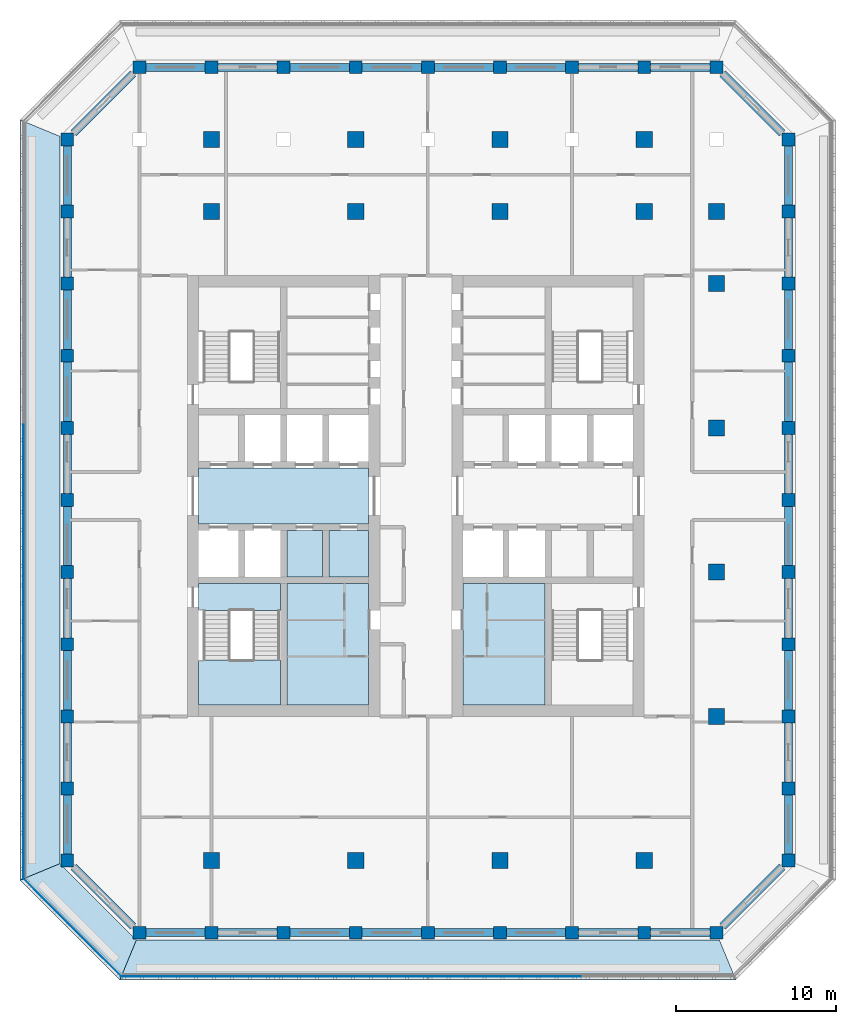
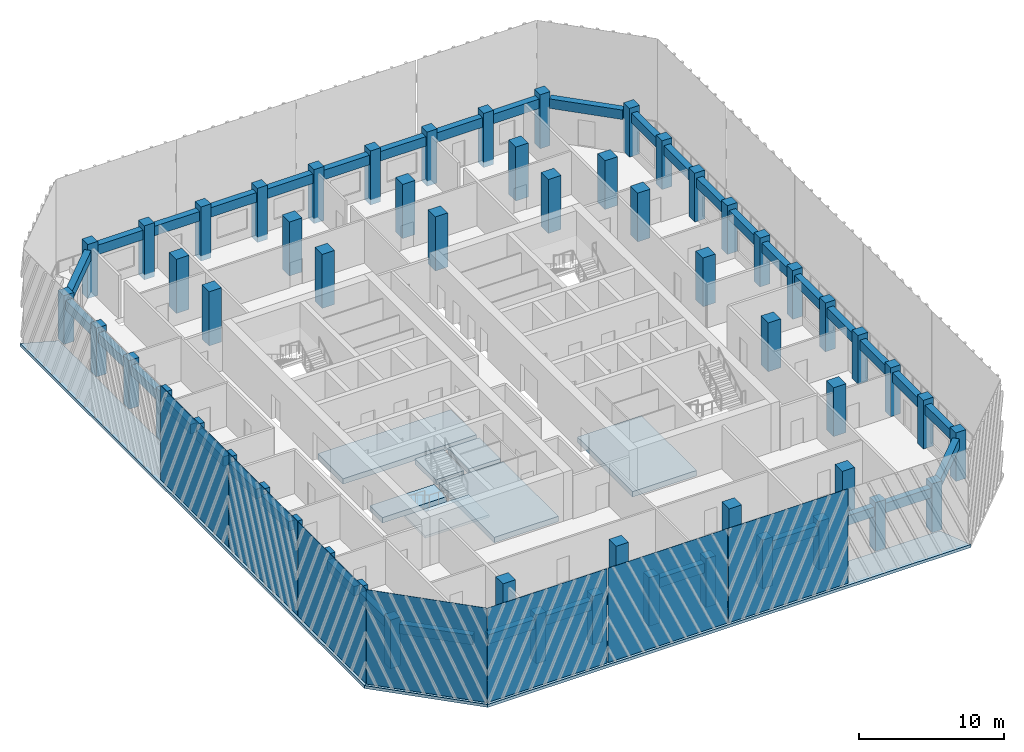
# One storey, part 1 of 17: 57 columns, 40 beams, 10 slabs, 7 plates, 1 element without a shape of its own.
"""IFC4 building model written with IfcOpenShell, lengths in metres."""

from ifc_helpers import new_model, si_unit, direction, frame, origin, origin_2d, place, context, subcontext, project, spatial, polyline, rectangle, outline, extrude, material, layer, layer_set, material_profile, profile_set, type_object, element, aggregate, save


model = new_model("IFC4")

# Units and contexts
model_context = context("Model", 3, precision=1e-05, world=origin(), true_north=direction((0.0, 1.0)))
body_context = subcontext(model_context, "Body", "Model", "MODEL_VIEW")
ifc_project = project(units=[si_unit("LENGTHUNIT", "METRE"), si_unit("AREAUNIT", "SQUARE_METRE"), si_unit("VOLUMEUNIT", "CUBIC_METRE"), si_unit("PLANEANGLEUNIT", "RADIAN"), si_unit("MASSUNIT", "GRAM", prefix="KILO")], contexts=[model_context])

# Site, building, storey
site_placement = place(None, origin())
site = spatial("IfcSite", under=ifc_project, at=site_placement, CompositionType="ELEMENT")
building_placement = place(site_placement, origin())
building = spatial("IfcBuilding", under=site, at=building_placement, Name="Corbel Stack Research Tower", CompositionType="ELEMENT")
storey_placement = place(building_placement, frame((0.0, 0.0, 231.60009765625)))
storey = spatial("IfcBuildingStorey", under=building, at=storey_placement, Name="L52", CompositionType="ELEMENT", Elevation=231.60009765625)

# Columns
ifc_material_1 = material(Name="Concrete C60/75", Category="concrete")
ifc_material_profile_1 = material_profile(ifc_material_1, rectangle(XDim=1.0, YDim=1.0, at=origin_2d()), Name="RC 1000 x 1000")
ifc_profile_set_1 = profile_set([ifc_material_profile_1], Name="Concrete C60/75")
column_type_1 = type_object("IfcColumnType", Name="C-1000-60", PredefinedType="COLUMN", material=ifc_profile_set_1)
column_1_placement = place(storey_placement, frame((-9.0, -18.0, 0.0), z_axis=(0.0, 0.0, 1.0), x_axis=(1.0, 0.0, 0.0)))
element("IfcColumn", 1, at=column_1_placement, inside=storey, type_object=column_type_1, Name="Column 6/D L52", PredefinedType="COLUMN", context=body_context, shape_type="SweptSolid", body=[
    extrude(rectangle(XDim=1.0, YDim=1.0, at=origin_2d()), origin(), (0.0, 0.0, 1.0), 4.099853515625),
])
for number, where, z_axis, x_axis, name in (
    (2, (-9.0, 22.5, -0.4501953125), (0.0, 0.0, 1.0), (1.0, 0.0, 0.0), "Column 6/N L52"),
    (3, (-9.0, 27.0, -0.4501953125), (0.0, 0.0, 1.0), (1.0, 0.0, 0.0), "Column 6/P L52"),
):
    element("IfcColumn", number, at=place(storey_placement, frame(where, z_axis=z_axis, x_axis=x_axis)), inside=storey, type_object=column_type_1, Name=name, PredefinedType="COLUMN", context=body_context, shape_type="SweptSolid", body=[
        extrude(rectangle(XDim=1.0, YDim=1.0, at=origin_2d()), origin(), (0.0, 0.0, 1.0), 4.550048828125),
    ])
column_2_placement = place(storey_placement, frame((0.0, -18.0, 0.0), z_axis=(0.0, 0.0, 1.0), x_axis=(1.0, 0.0, 0.0)))
element("IfcColumn", 4, at=column_2_placement, inside=storey, type_object=column_type_1, Name="Column 8/D L52", PredefinedType="COLUMN", context=body_context, shape_type="SweptSolid", body=[
    extrude(rectangle(XDim=1.0, YDim=1.0, at=origin_2d()), origin(), (0.0, 0.0, 1.0), 4.099853515625),
])
for number, where, z_axis, x_axis, name in (
    (5, (0.0, 22.5, -0.4501953125), (0.0, 0.0, 1.0), (1.0, 0.0, 0.0), "Column 8/N L52"),
    (6, (0.0, 27.0, -0.4501953125), (0.0, 0.0, 1.0), (1.0, 0.0, 0.0), "Column 8/P L52"),
):
    element("IfcColumn", number, at=place(storey_placement, frame(where, z_axis=z_axis, x_axis=x_axis)), inside=storey, type_object=column_type_1, Name=name, PredefinedType="COLUMN", context=body_context, shape_type="SweptSolid", body=[
        extrude(rectangle(XDim=1.0, YDim=1.0, at=origin_2d()), origin(), (0.0, 0.0, 1.0), 4.550048828125),
    ])
column_3_placement = place(storey_placement, frame((9.0, -18.0, 0.0), z_axis=(0.0, 0.0, 1.0), x_axis=(1.0, 0.0, 0.0)))
element("IfcColumn", 7, at=column_3_placement, inside=storey, type_object=column_type_1, Name="Column 10/D L52", PredefinedType="COLUMN", context=body_context, shape_type="SweptSolid", body=[
    extrude(rectangle(XDim=1.0, YDim=1.0, at=origin_2d()), origin(), (0.0, 0.0, 1.0), 4.099853515625),
])
for number, where, z_axis, x_axis, name in (
    (8, (9.0, 22.5, -0.4501953125), (0.0, 0.0, 1.0), (1.0, 0.0, 0.0), "Column 10/N L52"),
    (9, (9.0, 27.0, -0.4501953125), (0.0, 0.0, 1.0), (1.0, 0.0, 0.0), "Column 10/P L52"),
):
    element("IfcColumn", number, at=place(storey_placement, frame(where, z_axis=z_axis, x_axis=x_axis)), inside=storey, type_object=column_type_1, Name=name, PredefinedType="COLUMN", context=body_context, shape_type="SweptSolid", body=[
        extrude(rectangle(XDim=1.0, YDim=1.0, at=origin_2d()), origin(), (0.0, 0.0, 1.0), 4.550048828125),
    ])
column_4_placement = place(storey_placement, frame((18.0, -18.0, 0.0), z_axis=(0.0, 0.0, 1.0), x_axis=(1.0, 0.0, 0.0)))
element("IfcColumn", 10, at=column_4_placement, inside=storey, type_object=column_type_1, Name="Column 12/D L52", PredefinedType="COLUMN", context=body_context, shape_type="SweptSolid", body=[
    extrude(rectangle(XDim=1.0, YDim=1.0, at=origin_2d()), origin(), (0.0, 0.0, 1.0), 4.099853515625),
])
for number, where, z_axis, x_axis, name in (
    (11, (18.0, 22.5, -0.4501953125), (0.0, 0.0, 1.0), (1.0, 0.0, 0.0), "Column 12/N L52"),
    (12, (18.0, 27.0, -0.4501953125), (0.0, 0.0, 1.0), (1.0, 0.0, 0.0), "Column 12/P L52"),
):
    element("IfcColumn", number, at=place(storey_placement, frame(where, z_axis=z_axis, x_axis=x_axis)), inside=storey, type_object=column_type_1, Name=name, PredefinedType="COLUMN", context=body_context, shape_type="SweptSolid", body=[
        extrude(rectangle(XDim=1.0, YDim=1.0, at=origin_2d()), origin(), (0.0, 0.0, 1.0), 4.550048828125),
    ])
for number, where, z_axis, x_axis, name in (
    (13, (22.5, -9.0, 0.0), (0.0, 0.0, 1.0), (1.0, 0.0, 0.0), "Column 13/F L52"),
    (14, (22.5, 0.0, 0.0), (0.0, 0.0, 1.0), (1.0, 0.0, 0.0), "Column 13/H L52"),
    (15, (22.5, 9.0, 0.0), (0.0, 0.0, 1.0), (1.0, 0.0, 0.0), "Column 13/K L52"),
    (16, (22.5, 18.0, 0.0), (0.0, 0.0, 1.0), (1.0, 0.0, 0.0), "Column 13/M L52"),
    (17, (22.5, 22.5, 0.0), (0.0, 0.0, 1.0), (1.0, 0.0, 0.0), "Column 13/N L52"),
):
    element("IfcColumn", number, at=place(storey_placement, frame(where, z_axis=z_axis, x_axis=x_axis)), inside=storey, type_object=column_type_1, Name=name, PredefinedType="COLUMN", context=body_context, shape_type="SweptSolid", body=[
        extrude(rectangle(XDim=1.0, YDim=1.0, at=origin_2d()), origin(), (0.0, 0.0, 1.0), 4.099853515625),
    ])
ifc_material_2 = material(Name="Concrete C60/75", Category="concrete")
ifc_material_profile_2 = material_profile(ifc_material_2, rectangle(XDim=0.800048828125, YDim=0.800048828125, at=origin_2d()), Name="RC 800 x 800")
ifc_profile_set_2 = profile_set([ifc_material_profile_2], Name="Concrete C60/75")
column_type_2 = type_object("IfcColumnType", Name="C-800-60", PredefinedType="COLUMN", material=ifc_profile_set_2)
for number, where, z_axis, x_axis, name in (
    (18, (-18.0, -18.0, 0.0), (0.0, 0.0, 1.0), (1.0, 0.0, 0.0), "Column 4/D L52"),
    (19, (-18.0, -13.5, 0.0), (0.0, 0.0, 1.0), (1.0, 0.0, 0.0), "Column 4/E L52"),
    (20, (-18.0, -9.0, 0.0), (0.0, 0.0, 1.0), (1.0, 0.0, 0.0), "Column 4/F L52"),
    (21, (-18.0, -4.5, 0.0), (0.0, 0.0, 1.0), (1.0, 0.0, 0.0), "Column 4/G L52"),
    (22, (-18.0, 0.0, 0.0), (0.0, 0.0, 1.0), (1.0, 0.0, 0.0), "Column 4/H L52"),
    (23, (-18.0, 4.5, 0.0), (0.0, 0.0, 1.0), (1.0, 0.0, 0.0), "Column 4/J L52"),
    (24, (-18.0, 9.0, 0.0), (0.0, 0.0, 1.0), (1.0, 0.0, 0.0), "Column 4/K L52"),
    (25, (-18.0, 13.5, 0.0), (0.0, 0.0, 1.0), (1.0, 0.0, 0.0), "Column 4/L L52"),
    (26, (-18.0, 18.0, 0.0), (0.0, 0.0, 1.0), (1.0, 0.0, 0.0), "Column 4/M L52"),
    (27, (-18.0, 22.5, 0.0), (0.0, 0.0, 1.0), (1.0, 0.0, 0.0), "Column 4/N L52"),
    (28, (-18.0, 27.0, 0.0), (0.0, 0.0, 1.0), (1.0, 0.0, 0.0), "Column 4/P L52"),
    (29, (-13.5, -22.5, 0.0), (0.0, 0.0, 1.0), (1.0, 0.0, 0.0), "Column 5/C L52"),
):
    element("IfcColumn", number, at=place(storey_placement, frame(where, z_axis=z_axis, x_axis=x_axis)), inside=storey, type_object=column_type_2, Name=name, PredefinedType="COLUMN", context=body_context, shape_type="SweptSolid", body=[
        extrude(rectangle(XDim=0.800048828125, YDim=0.800048828125, at=origin_2d()), origin(), (0.0, 0.0, 1.0), 4.099853515625),
    ])
column_5_placement = place(storey_placement, frame((-13.5, 31.5, -0.4501953125), z_axis=(0.0, 0.0, 1.0), x_axis=(1.0, 0.0, 0.0)))
element("IfcColumn", 30, at=column_5_placement, inside=storey, type_object=column_type_2, Name="Column 5/Q L52", PredefinedType="COLUMN", context=body_context, shape_type="SweptSolid", body=[
    extrude(rectangle(XDim=0.800048828125, YDim=0.800048828125, at=origin_2d()), origin(), (0.0, 0.0, 1.0), 4.550048828125),
])
column_6_placement = place(storey_placement, frame((-9.0, -22.5, 0.0), z_axis=(0.0, 0.0, 1.0), x_axis=(1.0, 0.0, 0.0)))
element("IfcColumn", 31, at=column_6_placement, inside=storey, type_object=column_type_2, Name="Column 6/C L52", PredefinedType="COLUMN", context=body_context, shape_type="SweptSolid", body=[
    extrude(rectangle(XDim=0.800048828125, YDim=0.800048828125, at=origin_2d()), origin(), (0.0, 0.0, 1.0), 4.099853515625),
])
column_7_placement = place(storey_placement, frame((-9.0, 31.5, -0.4501953125), z_axis=(0.0, 0.0, 1.0), x_axis=(1.0, 0.0, 0.0)))
element("IfcColumn", 32, at=column_7_placement, inside=storey, type_object=column_type_2, Name="Column 6/Q L52", PredefinedType="COLUMN", context=body_context, shape_type="SweptSolid", body=[
    extrude(rectangle(XDim=0.800048828125, YDim=0.800048828125, at=origin_2d()), origin(), (0.0, 0.0, 1.0), 4.550048828125),
])
column_8_placement = place(storey_placement, frame((-4.5, -22.5, 0.0), z_axis=(0.0, 0.0, 1.0), x_axis=(1.0, 0.0, 0.0)))
element("IfcColumn", 33, at=column_8_placement, inside=storey, type_object=column_type_2, Name="Column 7/C L52", PredefinedType="COLUMN", context=body_context, shape_type="SweptSolid", body=[
    extrude(rectangle(XDim=0.800048828125, YDim=0.800048828125, at=origin_2d()), origin(), (0.0, 0.0, 1.0), 4.099853515625),
])
column_9_placement = place(storey_placement, frame((-4.5, 31.5, -0.4501953125), z_axis=(0.0, 0.0, 1.0), x_axis=(1.0, 0.0, 0.0)))
element("IfcColumn", 34, at=column_9_placement, inside=storey, type_object=column_type_2, Name="Column 7/Q L52", PredefinedType="COLUMN", context=body_context, shape_type="SweptSolid", body=[
    extrude(rectangle(XDim=0.800048828125, YDim=0.800048828125, at=origin_2d()), origin(), (0.0, 0.0, 1.0), 4.550048828125),
])
column_10_placement = place(storey_placement, frame((0.0, -22.5, 0.0), z_axis=(0.0, 0.0, 1.0), x_axis=(1.0, 0.0, 0.0)))
element("IfcColumn", 35, at=column_10_placement, inside=storey, type_object=column_type_2, Name="Column 8/C L52", PredefinedType="COLUMN", context=body_context, shape_type="SweptSolid", body=[
    extrude(rectangle(XDim=0.800048828125, YDim=0.800048828125, at=origin_2d()), origin(), (0.0, 0.0, 1.0), 4.099853515625),
])
column_11_placement = place(storey_placement, frame((0.0, 31.5, -0.4501953125), z_axis=(0.0, 0.0, 1.0), x_axis=(1.0, 0.0, 0.0)))
element("IfcColumn", 36, at=column_11_placement, inside=storey, type_object=column_type_2, Name="Column 8/Q L52", PredefinedType="COLUMN", context=body_context, shape_type="SweptSolid", body=[
    extrude(rectangle(XDim=0.800048828125, YDim=0.800048828125, at=origin_2d()), origin(), (0.0, 0.0, 1.0), 4.550048828125),
])
column_12_placement = place(storey_placement, frame((4.5, -22.5, 0.0), z_axis=(0.0, 0.0, 1.0), x_axis=(1.0, 0.0, 0.0)))
element("IfcColumn", 37, at=column_12_placement, inside=storey, type_object=column_type_2, Name="Column 9/C L52", PredefinedType="COLUMN", context=body_context, shape_type="SweptSolid", body=[
    extrude(rectangle(XDim=0.800048828125, YDim=0.800048828125, at=origin_2d()), origin(), (0.0, 0.0, 1.0), 4.099853515625),
])
column_13_placement = place(storey_placement, frame((4.5, 31.5, -0.4501953125), z_axis=(0.0, 0.0, 1.0), x_axis=(1.0, 0.0, 0.0)))
element("IfcColumn", 38, at=column_13_placement, inside=storey, type_object=column_type_2, Name="Column 9/Q L52", PredefinedType="COLUMN", context=body_context, shape_type="SweptSolid", body=[
    extrude(rectangle(XDim=0.800048828125, YDim=0.800048828125, at=origin_2d()), origin(), (0.0, 0.0, 1.0), 4.550048828125),
])
column_14_placement = place(storey_placement, frame((9.0, -22.5, 0.0), z_axis=(0.0, 0.0, 1.0), x_axis=(1.0, 0.0, 0.0)))
element("IfcColumn", 39, at=column_14_placement, inside=storey, type_object=column_type_2, Name="Column 10/C L52", PredefinedType="COLUMN", context=body_context, shape_type="SweptSolid", body=[
    extrude(rectangle(XDim=0.800048828125, YDim=0.800048828125, at=origin_2d()), origin(), (0.0, 0.0, 1.0), 4.099853515625),
])
column_15_placement = place(storey_placement, frame((9.0, 31.5, -0.4501953125), z_axis=(0.0, 0.0, 1.0), x_axis=(1.0, 0.0, 0.0)))
element("IfcColumn", 40, at=column_15_placement, inside=storey, type_object=column_type_2, Name="Column 10/Q L52", PredefinedType="COLUMN", context=body_context, shape_type="SweptSolid", body=[
    extrude(rectangle(XDim=0.800048828125, YDim=0.800048828125, at=origin_2d()), origin(), (0.0, 0.0, 1.0), 4.550048828125),
])
column_16_placement = place(storey_placement, frame((13.5, -22.5, 0.0), z_axis=(0.0, 0.0, 1.0), x_axis=(1.0, 0.0, 0.0)))
element("IfcColumn", 41, at=column_16_placement, inside=storey, type_object=column_type_2, Name="Column 11/C L52", PredefinedType="COLUMN", context=body_context, shape_type="SweptSolid", body=[
    extrude(rectangle(XDim=0.800048828125, YDim=0.800048828125, at=origin_2d()), origin(), (0.0, 0.0, 1.0), 4.099853515625),
])
column_17_placement = place(storey_placement, frame((13.5, 31.5, -0.4501953125), z_axis=(0.0, 0.0, 1.0), x_axis=(1.0, 0.0, 0.0)))
element("IfcColumn", 42, at=column_17_placement, inside=storey, type_object=column_type_2, Name="Column 11/Q L52", PredefinedType="COLUMN", context=body_context, shape_type="SweptSolid", body=[
    extrude(rectangle(XDim=0.800048828125, YDim=0.800048828125, at=origin_2d()), origin(), (0.0, 0.0, 1.0), 4.550048828125),
])
column_18_placement = place(storey_placement, frame((18.0, -22.5, 0.0), z_axis=(0.0, 0.0, 1.0), x_axis=(1.0, 0.0, 0.0)))
element("IfcColumn", 43, at=column_18_placement, inside=storey, type_object=column_type_2, Name="Column 12/C L52", PredefinedType="COLUMN", context=body_context, shape_type="SweptSolid", body=[
    extrude(rectangle(XDim=0.800048828125, YDim=0.800048828125, at=origin_2d()), origin(), (0.0, 0.0, 1.0), 4.099853515625),
])
column_19_placement = place(storey_placement, frame((18.0, 31.5, -0.4501953125), z_axis=(0.0, 0.0, 1.0), x_axis=(1.0, 0.0, 0.0)))
element("IfcColumn", 44, at=column_19_placement, inside=storey, type_object=column_type_2, Name="Column 12/Q L52", PredefinedType="COLUMN", context=body_context, shape_type="SweptSolid", body=[
    extrude(rectangle(XDim=0.800048828125, YDim=0.800048828125, at=origin_2d()), origin(), (0.0, 0.0, 1.0), 4.550048828125),
])
column_20_placement = place(storey_placement, frame((22.5, -22.5, 0.0), z_axis=(0.0, 0.0, 1.0), x_axis=(1.0, 0.0, 0.0)))
element("IfcColumn", 45, at=column_20_placement, inside=storey, type_object=column_type_2, Name="Column 13/C L52", PredefinedType="COLUMN", context=body_context, shape_type="SweptSolid", body=[
    extrude(rectangle(XDim=0.800048828125, YDim=0.800048828125, at=origin_2d()), origin(), (0.0, 0.0, 1.0), 4.099853515625),
])
column_21_placement = place(storey_placement, frame((22.5, 31.5, -0.4501953125), z_axis=(0.0, 0.0, 1.0), x_axis=(1.0, 0.0, 0.0)))
element("IfcColumn", 46, at=column_21_placement, inside=storey, type_object=column_type_2, Name="Column 13/Q L52", PredefinedType="COLUMN", context=body_context, shape_type="SweptSolid", body=[
    extrude(rectangle(XDim=0.800048828125, YDim=0.800048828125, at=origin_2d()), origin(), (0.0, 0.0, 1.0), 4.550048828125),
])
for number, where, z_axis, x_axis, name in (
    (47, (27.0, -18.0, 0.0), (0.0, 0.0, 1.0), (1.0, 0.0, 0.0), "Column 14/D L52"),
    (48, (27.0, -13.5, 0.0), (0.0, 0.0, 1.0), (1.0, 0.0, 0.0), "Column 14/E L52"),
    (49, (27.0, -9.0, 0.0), (0.0, 0.0, 1.0), (1.0, 0.0, 0.0), "Column 14/F L52"),
    (50, (27.0, -4.5, 0.0), (0.0, 0.0, 1.0), (1.0, 0.0, 0.0), "Column 14/G L52"),
    (51, (27.0, 0.0, 0.0), (0.0, 0.0, 1.0), (1.0, 0.0, 0.0), "Column 14/H L52"),
    (52, (27.0, 4.5, 0.0), (0.0, 0.0, 1.0), (1.0, 0.0, 0.0), "Column 14/J L52"),
    (53, (27.0, 9.0, 0.0), (0.0, 0.0, 1.0), (1.0, 0.0, 0.0), "Column 14/K L52"),
    (54, (27.0, 13.5, 0.0), (0.0, 0.0, 1.0), (1.0, 0.0, 0.0), "Column 14/L L52"),
    (55, (27.0, 18.0, 0.0), (0.0, 0.0, 1.0), (1.0, 0.0, 0.0), "Column 14/M L52"),
    (56, (27.0, 22.5, 0.0), (0.0, 0.0, 1.0), (1.0, 0.0, 0.0), "Column 14/N L52"),
    (57, (27.0, 27.0, 0.0), (0.0, 0.0, 1.0), (1.0, 0.0, 0.0), "Column 14/P L52"),
):
    element("IfcColumn", number, at=place(storey_placement, frame(where, z_axis=z_axis, x_axis=x_axis)), inside=storey, type_object=column_type_2, Name=name, PredefinedType="COLUMN", context=body_context, shape_type="SweptSolid", body=[
        extrude(rectangle(XDim=0.800048828125, YDim=0.800048828125, at=origin_2d()), origin(), (0.0, 0.0, 1.0), 4.099853515625),
    ])

# Beams
ifc_material_3 = material(Name="Concrete C60/75", Category="concrete")
ifc_material_profile_3 = material_profile(ifc_material_3, rectangle(XDim=0.5, YDim=0.800048828125, at=origin_2d()), Name="RC 500 x 800")
ifc_profile_set_3 = profile_set([ifc_material_profile_3], Name="Concrete C60/75")
beam_type = type_object("IfcBeamType", Name="SB-500-800-450", PredefinedType="SPANDREL", material=ifc_profile_set_3)
for number, where, z_axis, x_axis, name in (
    (58, (-13.10009765625, -22.5, 3.25), (1.0, 0.0, 0.0), (0.0, 1.0, 0.0), "Spandrel beam L52-01"),
    (59, (-8.60009765625, -22.5, 3.25), (1.0, 0.0, 0.0), (0.0, 1.0, 0.0), "Spandrel beam L52-02"),
    (60, (-4.10009765625, -22.5, 3.25), (1.0, 0.0, 0.0), (0.0, 1.0, 0.0), "Spandrel beam L52-03"),
    (61, (0.39990234375, -22.5, 3.25), (1.0, 0.0, 0.0), (0.0, 1.0, 0.0), "Spandrel beam L52-04"),
    (62, (4.89990234375, -22.5, 3.25), (1.0, 0.0, 0.0), (0.0, 1.0, 0.0), "Spandrel beam L52-05"),
    (63, (9.39990234375, -22.5, 3.25), (1.0, 0.0, 0.0), (0.0, 1.0, 0.0), "Spandrel beam L52-06"),
    (64, (13.89990234375, -22.5, 3.25), (1.0, 0.0, 0.0), (0.0, 1.0, 0.0), "Spandrel beam L52-07"),
    (65, (18.39990234375, -22.5, 3.25), (1.0, 0.0, 0.0), (0.0, 1.0, 0.0), "Spandrel beam L52-08"),
):
    element("IfcBeam", number, at=place(storey_placement, frame(where, z_axis=z_axis, x_axis=x_axis)), inside=storey, type_object=beam_type, Name=name, PredefinedType="SPANDREL", context=body_context, shape_type="SweptSolid", body=[
        extrude(rectangle(XDim=0.5, YDim=0.800048828125, at=origin_2d()), origin(), (0.0, 0.0, 1.0), 3.7001953125),
    ])
beam_1_placement = place(storey_placement, frame((22.89990234375, -22.10009765625, 3.25), z_axis=(0.707106781187, 0.707106781187, 0.0), x_axis=(-0.707106781187, 0.707106781187, 0.0)))
element("IfcBeam", 66, at=beam_1_placement, inside=storey, type_object=beam_type, Name="Spandrel beam L52-09", PredefinedType="SPANDREL", context=body_context, shape_type="SweptSolid", body=[
    extrude(rectangle(XDim=0.5, YDim=0.800048828125, at=origin_2d()), origin(), (0.0, 0.0, 1.0), 5.23291015625),
])
for number, where, z_axis, x_axis, name in (
    (67, (27.0, -17.60009765625, 3.25), (0.0, 1.0, 0.0), (-1.0, 0.0, 0.0), "Spandrel beam L52-10"),
    (68, (27.0, -13.10009765625, 3.25), (0.0, 1.0, 0.0), (-1.0, 0.0, 0.0), "Spandrel beam L52-11"),
    (69, (27.0, -8.60009765625, 3.25), (0.0, 1.0, 0.0), (-1.0, 0.0, 0.0), "Spandrel beam L52-12"),
    (70, (27.0, -4.10009765625, 3.25), (0.0, 1.0, 0.0), (-1.0, 0.0, 0.0), "Spandrel beam L52-13"),
    (71, (27.0, 0.39990234375, 3.25), (0.0, 1.0, 0.0), (-1.0, 0.0, 0.0), "Spandrel beam L52-14"),
    (72, (27.0, 4.89990234375, 3.25), (0.0, 1.0, 0.0), (-1.0, 0.0, 0.0), "Spandrel beam L52-15"),
    (73, (27.0, 9.39990234375, 3.25), (0.0, 1.0, 0.0), (-1.0, 0.0, 0.0), "Spandrel beam L52-16"),
    (74, (27.0, 13.89990234375, 3.25), (0.0, 1.0, 0.0), (-1.0, 0.0, 0.0), "Spandrel beam L52-17"),
    (75, (27.0, 18.39990234375, 3.25), (0.0, 1.0, 0.0), (-1.0, 0.0, 0.0), "Spandrel beam L52-18"),
    (76, (27.0, 22.89990234375, 3.25), (0.0, 1.0, 0.0), (-1.0, 0.0, 0.0), "Spandrel beam L52-19"),
):
    element("IfcBeam", number, at=place(storey_placement, frame(where, z_axis=z_axis, x_axis=x_axis)), inside=storey, type_object=beam_type, Name=name, PredefinedType="SPANDREL", context=body_context, shape_type="SweptSolid", body=[
        extrude(rectangle(XDim=0.5, YDim=0.800048828125, at=origin_2d()), origin(), (0.0, 0.0, 1.0), 3.7001953125),
    ])
beam_2_placement = place(storey_placement, frame((26.60009765625, 27.39990234375, 3.25), z_axis=(-0.707106781187, 0.707106781187, 0.0), x_axis=(-0.707106781187, -0.707106781187, 0.0)))
element("IfcBeam", 77, at=beam_2_placement, inside=storey, type_object=beam_type, Name="Spandrel beam L52-20", PredefinedType="SPANDREL", context=body_context, shape_type="SweptSolid", body=[
    extrude(rectangle(XDim=0.5, YDim=0.800048828125, at=origin_2d()), origin(), (0.0, 0.0, 1.0), 5.23291015625),
])
for number, where, z_axis, x_axis, name in (
    (78, (22.10009765625, 31.5, 3.25), (-1.0, 0.0, 0.0), (0.0, -1.0, 0.0), "Spandrel beam L52-21"),
    (79, (17.60009765625, 31.5, 3.25), (-1.0, 0.0, 0.0), (0.0, -1.0, 0.0), "Spandrel beam L52-22"),
    (80, (13.10009765625, 31.5, 3.25), (-1.0, 0.0, 0.0), (0.0, -1.0, 0.0), "Spandrel beam L52-23"),
    (81, (8.60009765625, 31.5, 3.25), (-1.0, 0.0, 0.0), (0.0, -1.0, 0.0), "Spandrel beam L52-24"),
    (82, (4.10009765625, 31.5, 3.25), (-1.0, 0.0, 0.0), (0.0, -1.0, 0.0), "Spandrel beam L52-25"),
    (83, (-0.39990234375, 31.5, 3.25), (-1.0, 0.0, 0.0), (0.0, -1.0, 0.0), "Spandrel beam L52-26"),
    (84, (-4.89990234375, 31.5, 3.25), (-1.0, 0.0, 0.0), (0.0, -1.0, 0.0), "Spandrel beam L52-27"),
    (85, (-9.39990234375, 31.5, 3.25), (-1.0, 0.0, 0.0), (0.0, -1.0, 0.0), "Spandrel beam L52-28"),
):
    element("IfcBeam", number, at=place(storey_placement, frame(where, z_axis=z_axis, x_axis=x_axis)), inside=storey, type_object=beam_type, Name=name, PredefinedType="SPANDREL", context=body_context, shape_type="SweptSolid", body=[
        extrude(rectangle(XDim=0.5, YDim=0.800048828125, at=origin_2d()), origin(), (0.0, 0.0, 1.0), 3.7001953125),
    ])
beam_3_placement = place(storey_placement, frame((-13.89990234375, 31.10009765625, 3.25), z_axis=(-0.707106781187, -0.707106781187, 0.0), x_axis=(0.707106781187, -0.707106781187, 0.0)))
element("IfcBeam", 86, at=beam_3_placement, inside=storey, type_object=beam_type, Name="Spandrel beam L52-29", PredefinedType="SPANDREL", context=body_context, shape_type="SweptSolid", body=[
    extrude(rectangle(XDim=0.5, YDim=0.800048828125, at=origin_2d()), origin(), (0.0, 0.0, 1.0), 5.23291015625),
])
for number, where, z_axis, x_axis, name in (
    (87, (-18.0, 26.60009765625, 3.25), (0.0, -1.0, 0.0), (1.0, 0.0, 0.0), "Spandrel beam L52-30"),
    (88, (-18.0, 22.10009765625, 3.25), (0.0, -1.0, 0.0), (1.0, 0.0, 0.0), "Spandrel beam L52-31"),
    (89, (-18.0, 17.60009765625, 3.25), (0.0, -1.0, 0.0), (1.0, 0.0, 0.0), "Spandrel beam L52-32"),
    (90, (-18.0, 13.10009765625, 3.25), (0.0, -1.0, 0.0), (1.0, 0.0, 0.0), "Spandrel beam L52-33"),
    (91, (-18.0, 8.60009765625, 3.25), (0.0, -1.0, 0.0), (1.0, 0.0, 0.0), "Spandrel beam L52-34"),
    (92, (-18.0, 4.10009765625, 3.25), (0.0, -1.0, 0.0), (1.0, 0.0, 0.0), "Spandrel beam L52-35"),
    (93, (-18.0, -0.39990234375, 3.25), (0.0, -1.0, 0.0), (1.0, 0.0, 0.0), "Spandrel beam L52-36"),
    (94, (-18.0, -4.89990234375, 3.25), (0.0, -1.0, 0.0), (1.0, 0.0, 0.0), "Spandrel beam L52-37"),
    (95, (-18.0, -9.39990234375, 3.25), (0.0, -1.0, 0.0), (1.0, 0.0, 0.0), "Spandrel beam L52-38"),
    (96, (-18.0, -13.89990234375, 3.25), (0.0, -1.0, 0.0), (1.0, 0.0, 0.0), "Spandrel beam L52-39"),
):
    element("IfcBeam", number, at=place(storey_placement, frame(where, z_axis=z_axis, x_axis=x_axis)), inside=storey, type_object=beam_type, Name=name, PredefinedType="SPANDREL", context=body_context, shape_type="SweptSolid", body=[
        extrude(rectangle(XDim=0.5, YDim=0.800048828125, at=origin_2d()), origin(), (0.0, 0.0, 1.0), 3.7001953125),
    ])
beam_4_placement = place(storey_placement, frame((-17.60009765625, -18.39990234375, 3.25), z_axis=(0.707106781187, -0.707106781187, 0.0), x_axis=(0.707106781187, 0.707106781187, 0.0)))
element("IfcBeam", 97, at=beam_4_placement, inside=storey, type_object=beam_type, Name="Spandrel beam L52-40", PredefinedType="SPANDREL", context=body_context, shape_type="SweptSolid", body=[
    extrude(rectangle(XDim=0.5, YDim=0.800048828125, at=origin_2d()), origin(), (0.0, 0.0, 1.0), 5.23291015625),
])

# Plates
ifc_material_4 = material(Name="Fritted glass", Category="glass")
ifc_layer_1 = layer(ifc_material_4, 0.02490234375)
ifc_layer_set_1 = layer_set([ifc_layer_1], Name="Fritted glass")
plate_type = type_object("IfcPlateType", Name="Fritted glass panel 25", PredefinedType="SHEET", material=ifc_layer_set_1)
for number, where, z_axis, x_axis, name in (
    (98, (-9.854248046875, -25.237548828125, 0.0), (0.0, 0.0, 1.0), (1.0, 0.0, 0.0), "Fritted glass L52 S1"),
    (99, (-0.284912109375, -25.237548828125, 0.0), (0.0, 0.0, 1.0), (1.0, 0.0, 0.0), "Fritted glass L52 S2"),
    (100, (9.284912109375, -25.237548828125, 0.0), (0.0, 0.0, 1.0), (1.0, 0.0, 0.0), "Fritted glass L52 S3"),
):
    element("IfcPlate", number, at=place(storey_placement, frame(where, z_axis=z_axis, x_axis=x_axis)), inside=storey, type_object=plate_type, Name=name, PredefinedType="SHEET", context=body_context, shape_type="SweptSolid", body=[
        extrude(rectangle(XDim=9.509521484375, YDim=0.02490234375, at=origin_2d()), origin(), (0.0, 0.0, 1.0), 7.949951171875),
    ])
for number, where, z_axis, x_axis, name in (
    (101, (-20.737548828125, 4.5, 0.0), (0.0, 0.0, 1.0), (0.0, -1.0, 0.0), "Fritted glass L52 W3"),
    (102, (-20.737548828125, -4.95556640625, 0.0), (0.0, 0.0, 1.0), (0.0, -1.0, 0.0), "Fritted glass L52 W4"),
    (103, (-20.737548828125, -14.411376953125, 0.0), (0.0, 0.0, 1.0), (0.0, -1.0, 0.0), "Fritted glass L52 W5"),
):
    element("IfcPlate", number, at=place(storey_placement, frame(where, z_axis=z_axis, x_axis=x_axis)), inside=storey, type_object=plate_type, Name=name, PredefinedType="SHEET", context=body_context, shape_type="SweptSolid", body=[
        extrude(rectangle(XDim=9.3955078125, YDim=0.02490234375, at=origin_2d()), origin(), (0.0, 0.0, 1.0), 7.949951171875),
    ])
plate_placement = place(storey_placement, frame((-17.685791015625, -22.185791015625, 0.0), z_axis=(0.0, 0.0, 1.0), x_axis=(0.707106781187, -0.707106781187, 0.0)))
element("IfcPlate", 104, at=plate_placement, inside=storey, type_object=plate_type, Name="Fritted glass L52 SW1", PredefinedType="SHEET", context=body_context, shape_type="SweptSolid", body=[
    extrude(rectangle(XDim=8.58203125, YDim=0.02490234375, at=origin_2d()), origin(), (0.0, 0.0, 1.0), 7.949951171875),
])

# Slabs
ifc_material_5 = material(Name="Concrete C45/55", Category="concrete")
ifc_layer_2 = layer(ifc_material_5, 0.25)
ifc_layer_set_2 = layer_set([ifc_layer_2], Name="Concrete C45/55")
slab_type_1 = type_object("IfcSlabType", Name="PT balcony slab 250 C45/55", PredefinedType="FLOOR", material=ifc_layer_set_2)
slab_1_placement = place(storey_placement, frame((0.0, 0.0, -0.25)))
element("IfcSlab", 105, at=slab_1_placement, inside=storey, type_object=slab_type_1, Name="Loggia slab L52 S", PredefinedType="FLOOR", context=body_context, shape_type="SweptSolid", body=[
    extrude(outline(polyline([(22.686279296875, -22.949951171875), (-13.686279296875, -22.949951171875), (-14.721923828125, -25.449951171875), (23.721923828125, -25.449951171875), (22.686279296875, -22.949951171875)])), origin(), (0.0, 0.0, 1.0), 0.25),
])
slab_2_placement = place(storey_placement, frame((0.0, 0.0, -0.25)))
element("IfcSlab", 106, at=slab_2_placement, inside=storey, type_object=slab_type_1, Name="Loggia slab L52 W", PredefinedType="FLOOR", context=body_context, shape_type="SweptSolid", body=[
    extrude(outline(polyline([(-18.449951171875, -18.186279296875), (-18.449951171875, 27.186279296875), (-20.949951171875, 28.221923828125), (-20.949951171875, -19.221923828125), (-18.449951171875, -18.186279296875)])), origin(), (0.0, 0.0, 1.0), 0.25),
])
slab_3_placement = place(storey_placement, frame((0.0, 0.0, -0.25)))
element("IfcSlab", 107, at=slab_3_placement, inside=storey, type_object=slab_type_1, Name="Loggia slab L52 SW", PredefinedType="FLOOR", context=body_context, shape_type="SweptSolid", body=[
    extrude(outline(polyline([(-13.686279296875, -22.949951171875), (-13.736328125, -22.89990234375), (-13.89990234375, -22.89990234375), (-13.89990234375, -22.736328125), (-18.236328125, -18.39990234375), (-18.39990234375, -18.39990234375), (-18.39990234375, -18.236328125), (-18.449951171875, -18.186279296875), (-20.949951171875, -19.221923828125), (-14.721923828125, -25.449951171875), (-13.686279296875, -22.949951171875)])), origin(), (0.0, 0.0, 1.0), 0.25),
])
ifc_material_6 = material(Name="Concrete C45/55", Category="concrete")
ifc_layer_3 = layer(ifc_material_6, 0.449951171875)
ifc_layer_set_3 = layer_set([ifc_layer_3], Name="Concrete C45/55")
slab_type_2 = type_object("IfcSlabType", Name="PT-450", PredefinedType="FLOOR", material=ifc_layer_set_3)
slab_4_placement = place(storey_placement, frame((0.0, 0.0, -0.4501953125)))
element("IfcSlab", 108, at=slab_4_placement, inside=storey, type_object=slab_type_2, Name="West core floor L52", PredefinedType="FLOOR", context=body_context, shape_type="SweptSolid", body=[
    extrude(outline(polyline([(-9.800048828125, 6.5), (-9.800048828125, 3.0), (0.800048828125, 3.0), (0.800048828125, 6.5), (-9.800048828125, 6.5)])), origin(), (0.0, 0.0, 1.0), 0.4501953125),
])
slab_5_placement = place(storey_placement, frame((0.0, 0.0, -0.4501953125)))
element("IfcSlab", 109, at=slab_5_placement, inside=storey, type_object=slab_type_2, Name="West core floor L52", PredefinedType="FLOOR", context=body_context, shape_type="SweptSolid", body=[
    extrude(outline(polyline([(-4.300048828125, -0.699951171875), (-4.300048828125, -8.300048828125), (0.800048828125, -8.300048828125), (0.800048828125, -0.699951171875), (-4.300048828125, -0.699951171875)])), origin(), (0.0, 0.0, 1.0), 0.4501953125),
])
slab_6_placement = place(storey_placement, frame((0.0, 0.0, -0.4501953125)))
element("IfcSlab", 110, at=slab_6_placement, inside=storey, type_object=slab_type_2, Name="West core floor L52", PredefinedType="FLOOR", context=body_context, shape_type="SweptSolid", body=[
    extrude(outline(polyline([(-4.300048828125, 2.60009765625), (-4.300048828125, -0.300048828125), (-2.074951171875, -0.300048828125), (-2.074951171875, 2.60009765625), (-4.300048828125, 2.60009765625)])), origin(), (0.0, 0.0, 1.0), 0.4501953125),
])
slab_7_placement = place(storey_placement, frame((0.0, 0.0, -0.4501953125)))
element("IfcSlab", 111, at=slab_7_placement, inside=storey, type_object=slab_type_2, Name="West core floor L52", PredefinedType="FLOOR", context=body_context, shape_type="SweptSolid", body=[
    extrude(outline(polyline([(-1.675048828125, 2.60009765625), (-1.675048828125, -0.300048828125), (0.800048828125, -0.300048828125), (0.800048828125, 2.60009765625), (-1.675048828125, 2.60009765625)])), origin(), (0.0, 0.0, 1.0), 0.4501953125),
])
slab_8_placement = place(storey_placement, frame((0.0, 0.0, -0.4501953125)))
element("IfcSlab", 112, at=slab_8_placement, inside=storey, type_object=slab_type_2, Name="East core floor L52", PredefinedType="FLOOR", context=body_context, shape_type="SweptSolid", body=[
    extrude(outline(polyline([(6.699951171875, -8.300048828125), (11.800048828125, -8.300048828125), (11.800048828125, -0.699951171875), (6.699951171875, -0.699951171875), (6.699951171875, -8.300048828125)])), origin(), (0.0, 0.0, 1.0), 0.4501953125),
])
slab_9_placement = place(storey_placement, frame((0.0, 0.0, -0.4501953125)))
element("IfcSlab", 113, at=slab_9_placement, inside=storey, type_object=slab_type_2, Name="Stair floor landing ST-W1", PredefinedType="FLOOR", context=body_context, shape_type="SweptSolid", body=[
    extrude(outline(polyline([(-9.800048828125, -2.39990234375), (-4.699951171875, -2.39990234375), (-4.699951171875, -0.699951171875), (-9.800048828125, -0.699951171875), (-9.800048828125, -2.39990234375)])), origin(), (0.0, 0.0, 1.0), 0.4501953125),
])

# Stair, slab
ifc_material_7 = material(Name="Concrete C40/50", Category="concrete")
stair_type = type_object("IfcStairType", Name="Exit stair 24 risers", PredefinedType="HALF_TURN_STAIR", material=ifc_material_7)
stair_placement = place(storey_placement, origin())
stair = element("IfcStair", 114, at=stair_placement, inside=storey, type_object=stair_type, Name="L52 Exit stair ST-W1", PredefinedType="HALF_TURN_STAIR")
ifc_material_8 = material(Name="Concrete C40/50", Category="concrete")
ifc_layer_4 = layer(ifc_material_8, 0.199951171875)
ifc_layer_set_4 = layer_set([ifc_layer_4], Name="Concrete C40/50")
slab_type_3 = type_object("IfcSlabType", Name="Stair landing 200 C40/50", PredefinedType="LANDING", material=ifc_layer_set_4)
slab_10_placement = place(storey_placement, frame((0.0, 0.0, 1.849853515625)))
slab_10 = element("IfcSlab", 115, at=slab_10_placement, type_object=slab_type_3, Name="ST-W1 landing 1", PredefinedType="LANDING", context=body_context, shape_type="SweptSolid", body=[
    extrude(outline(polyline([(-9.800048828125, -8.300048828125), (-9.800048828125, -5.47998046875), (-4.699951171875, -5.47998046875), (-4.699951171875, -8.300048828125), (-9.800048828125, -8.300048828125)])), origin(), (0.0, 0.0, 1.0), 0.199951171875),
])
aggregate(stair, [slab_10])

save(model, "model.ifc")
